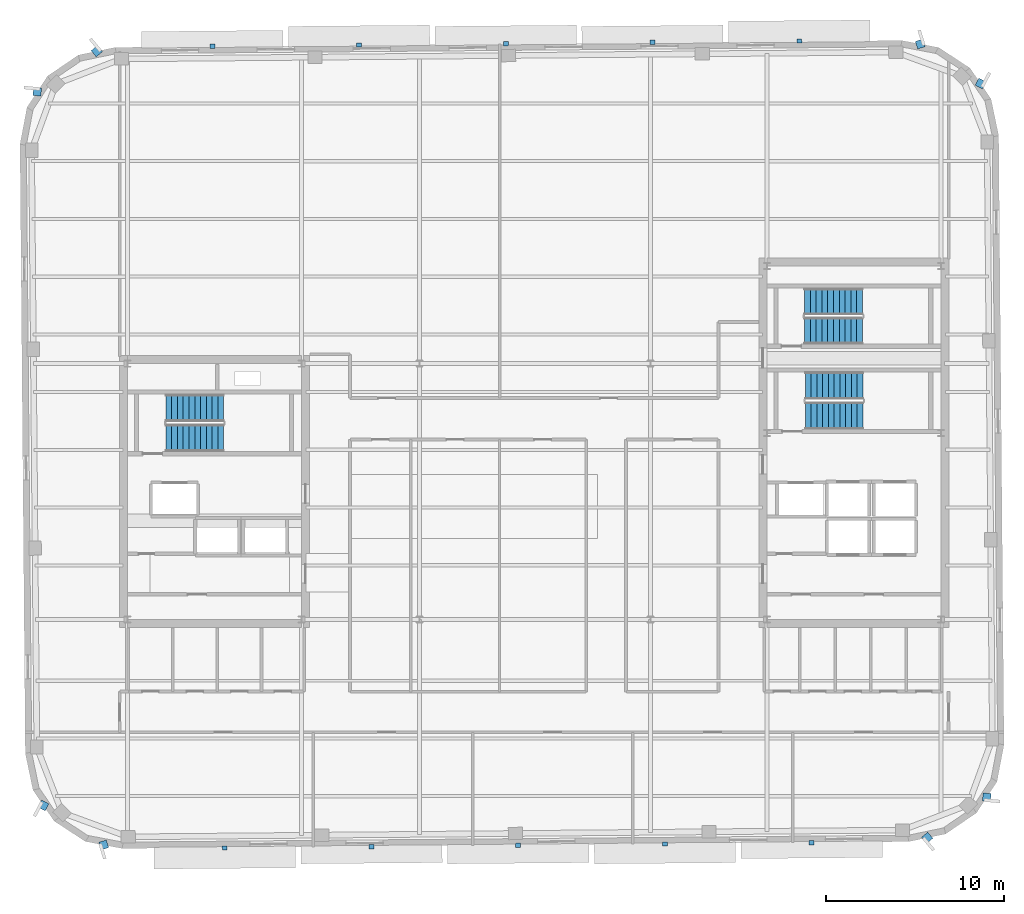
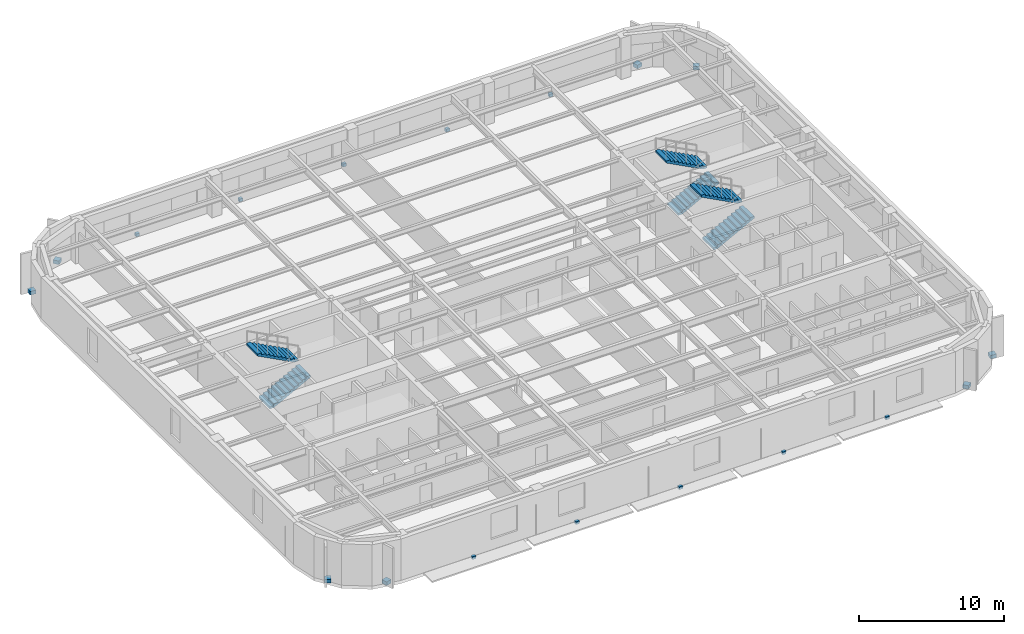
# One storey, part 10 of 15: 18 discrete accessories, 6 stair flights, 3 elements without a shape of their own.
"""IFC4 building model written with IfcOpenShell, lengths in metres."""

from ifc_helpers import new_model, si_unit, direction, frame, origin, origin_2d, place, context, subcontext, project, spatial, polyline, rectangle, outline, extrude, material, type_object, element, aggregate, save


model = new_model("IFC4")

# Units and contexts
model_context = context("Model", 3, precision=1e-05, world=origin(), true_north=direction((0.0, 1.0)))
body_context = subcontext(model_context, "Body", "Model", "MODEL_VIEW")
ifc_project = project(units=[si_unit("LENGTHUNIT", "METRE"), si_unit("AREAUNIT", "SQUARE_METRE"), si_unit("VOLUMEUNIT", "CUBIC_METRE"), si_unit("PLANEANGLEUNIT", "RADIAN"), si_unit("MASSUNIT", "GRAM", prefix="KILO")], contexts=[model_context])

# Site, building, storey
site_placement = place(None, origin())
site = spatial("IfcSite", under=ifc_project, at=site_placement, CompositionType="ELEMENT")
building_placement = place(site_placement, origin())
building = spatial("IfcBuilding", under=site, at=building_placement, Name="Kolvaren Arena Tower", CompositionType="ELEMENT")
storey_placement = place(building_placement, frame((0.0, 0.0, 282.39990234375)))
storey = spatial("IfcBuildingStorey", under=building, at=storey_placement, Name="L69", CompositionType="ELEMENT", Elevation=282.39990234375)

# Stair, stair flights
ifc_material_1 = material(Name="Concrete 45 MPa", Category="concrete")
stair_type_1 = type_object("IfcStairType", Name="STAIR-CORE-150", PredefinedType="HALF_TURN_STAIR", material=ifc_material_1)
stair_1_placement = place(storey_placement, origin())
stair_1 = element("IfcStair", 1, at=stair_1_placement, inside=storey, type_object=stair_type_1, Name="L69 ST-E2", PredefinedType="HALF_TURN_STAIR")
stair_flight_type_1 = type_object("IfcStairFlightType", Name="FLT-150", PredefinedType="STRAIGHT", material=ifc_material_1)
stair_flight_1_placement = place(storey_placement, frame((52.679931640625, 35.699951171875, 0.0), z_axis=(0.0, 0.0, 1.0), x_axis=(1.0, 0.0, 0.0)))
stair_flight_1 = element("IfcStairFlight", 2, at=stair_flight_1_placement, type_object=stair_flight_type_1, Name="ST-E2 flight 1", NumberOfRisers=11, NumberOfTreads=10, PredefinedType="STRAIGHT", RiserHeight=0.170454545, TreadLength=0.324, context=body_context, shape_type="SweptSolid", body=[
    extrude(outline(polyline([(0.0, 0.0), (0.0, 0.17041015625), (0.323974609375, 0.17041015625), (0.323974609375, 0.3408203125), (0.64794921875, 0.3408203125), (0.64794921875, 0.511474609375), (0.971923828125, 0.511474609375), (0.971923828125, 0.681884765625), (1.2958984375, 0.681884765625), (1.2958984375, 0.852294921875), (1.6201171875, 0.852294921875), (1.6201171875, 1.022705078125), (1.944091796875, 1.022705078125), (1.944091796875, 1.193115234375), (2.26806640625, 1.193115234375), (2.26806640625, 1.363525390625), (2.592041015625, 1.363525390625), (2.592041015625, 1.5341796875), (2.916015625, 1.5341796875), (2.916015625, 1.70458984375), (3.239990234375, 1.70458984375), (3.239990234375, 1.875), (3.239990234375, 1.53515625), (0.322021484375, 0.0), (0.0, 0.0)])), frame((0.0, 0.75, 0.0), z_axis=(0.0, -1.0, 0.0), x_axis=(1.0, 0.0, 0.0)), (0.0, 0.0, 1.0), 1.5),
])
stair_flight_2_placement = place(storey_placement, frame((55.919921875, 37.35009765625, 1.875), z_axis=(0.0, 0.0, 1.0), x_axis=(-1.0, 0.0, 0.0)))
stair_flight_2 = element("IfcStairFlight", 3, at=stair_flight_2_placement, type_object=stair_flight_type_1, Name="ST-E2 flight 2", NumberOfRisers=11, NumberOfTreads=10, PredefinedType="STRAIGHT", RiserHeight=0.170454545, TreadLength=0.324, context=body_context, shape_type="SweptSolid", body=[
    extrude(outline(polyline([(0.0, 0.0), (0.0, 0.17041015625), (0.323974609375, 0.17041015625), (0.323974609375, 0.3408203125), (0.64794921875, 0.3408203125), (0.64794921875, 0.511474609375), (0.971923828125, 0.511474609375), (0.971923828125, 0.681884765625), (1.2958984375, 0.681884765625), (1.2958984375, 0.852294921875), (1.6201171875, 0.852294921875), (1.6201171875, 1.022705078125), (1.944091796875, 1.022705078125), (1.944091796875, 1.193115234375), (2.26806640625, 1.193115234375), (2.26806640625, 1.363525390625), (2.592041015625, 1.363525390625), (2.592041015625, 1.5341796875), (2.916015625, 1.5341796875), (2.916015625, 1.70458984375), (3.239990234375, 1.70458984375), (3.239990234375, 1.875), (3.239990234375, 1.53515625), (0.322021484375, 0.0), (0.0, 0.0)])), frame((0.0, 0.75, 0.0), z_axis=(0.0, -1.0, 0.0), x_axis=(1.0, 0.0, 0.0)), (0.0, 0.0, 1.0), 1.5),
])
aggregate(stair_1, [stair_flight_1, stair_flight_2])

stair_type_2 = type_object("IfcStairType", Name="STAIR-CORE-165", PredefinedType="HALF_TURN_STAIR", material=ifc_material_1)
stair_2_placement = place(storey_placement, origin())
stair_2 = element("IfcStair", 4, at=stair_2_placement, inside=storey, type_object=stair_type_2, Name="L69 ST-W1", PredefinedType="HALF_TURN_STAIR")
stair_flight_type_2 = type_object("IfcStairFlightType", Name="FLT-165", PredefinedType="STRAIGHT", material=ifc_material_1)
stair_flight_3_placement = place(storey_placement, frame((16.719970703125, 29.669921875, 0.0), z_axis=(0.0, 0.0, 1.0), x_axis=(1.0, 0.0, 0.0)))
stair_flight_3 = element("IfcStairFlight", 5, at=stair_flight_3_placement, type_object=stair_flight_type_2, Name="ST-W1 flight 1", NumberOfRisers=11, NumberOfTreads=10, PredefinedType="STRAIGHT", RiserHeight=0.170454545, TreadLength=0.324, context=body_context, shape_type="SweptSolid", body=[
    extrude(outline(polyline([(0.0, 0.0), (0.0, 0.17041015625), (0.323974609375, 0.17041015625), (0.323974609375, 0.3408203125), (0.64794921875, 0.3408203125), (0.64794921875, 0.511474609375), (0.971923828125, 0.511474609375), (0.971923828125, 0.681884765625), (1.2958984375, 0.681884765625), (1.2958984375, 0.852294921875), (1.6201171875, 0.852294921875), (1.6201171875, 1.022705078125), (1.944091796875, 1.022705078125), (1.944091796875, 1.193115234375), (2.26806640625, 1.193115234375), (2.26806640625, 1.363525390625), (2.592041015625, 1.363525390625), (2.592041015625, 1.5341796875), (2.916015625, 1.5341796875), (2.916015625, 1.70458984375), (3.239990234375, 1.70458984375), (3.239990234375, 1.875), (3.239990234375, 1.53515625), (0.322021484375, 0.0), (0.0, 0.0)])), frame((0.0, 0.77001953125, 0.0), z_axis=(0.0, -1.0, 0.0), x_axis=(1.0, 0.0, 0.0)), (0.0, 0.0, 1.0), 1.5400390625),
])
stair_flight_4_placement = place(storey_placement, frame((19.9599609375, 31.360107421875, 1.875), z_axis=(0.0, 0.0, 1.0), x_axis=(-1.0, 0.0, 0.0)))
stair_flight_4 = element("IfcStairFlight", 6, at=stair_flight_4_placement, type_object=stair_flight_type_2, Name="ST-W1 flight 2", NumberOfRisers=11, NumberOfTreads=10, PredefinedType="STRAIGHT", RiserHeight=0.170454545, TreadLength=0.324, context=body_context, shape_type="SweptSolid", body=[
    extrude(outline(polyline([(0.0, 0.0), (0.0, 0.17041015625), (0.323974609375, 0.17041015625), (0.323974609375, 0.3408203125), (0.64794921875, 0.3408203125), (0.64794921875, 0.511474609375), (0.971923828125, 0.511474609375), (0.971923828125, 0.681884765625), (1.2958984375, 0.681884765625), (1.2958984375, 0.852294921875), (1.6201171875, 0.852294921875), (1.6201171875, 1.022705078125), (1.944091796875, 1.022705078125), (1.944091796875, 1.193115234375), (2.26806640625, 1.193115234375), (2.26806640625, 1.363525390625), (2.592041015625, 1.363525390625), (2.592041015625, 1.5341796875), (2.916015625, 1.5341796875), (2.916015625, 1.70458984375), (3.239990234375, 1.70458984375), (3.239990234375, 1.875), (3.239990234375, 1.53515625), (0.322021484375, 0.0), (0.0, 0.0)])), frame((0.0, 0.77001953125, 0.0), z_axis=(0.0, -1.0, 0.0), x_axis=(1.0, 0.0, 0.0)), (0.0, 0.0, 1.0), 1.5400390625),
])
aggregate(stair_2, [stair_flight_3, stair_flight_4])

stair_3_placement = place(storey_placement, origin())
stair_3 = element("IfcStair", 7, at=stair_3_placement, inside=storey, type_object=stair_type_2, Name="L69 ST-E1", PredefinedType="HALF_TURN_STAIR")
stair_flight_5_placement = place(storey_placement, frame((52.719970703125, 30.919921875, 0.0), z_axis=(0.0, 0.0, 1.0), x_axis=(1.0, 0.0, 0.0)))
stair_flight_5 = element("IfcStairFlight", 8, at=stair_flight_5_placement, type_object=stair_flight_type_2, Name="ST-E1 flight 1", NumberOfRisers=11, NumberOfTreads=10, PredefinedType="STRAIGHT", RiserHeight=0.170454545, TreadLength=0.324, context=body_context, shape_type="SweptSolid", body=[
    extrude(outline(polyline([(0.0, 0.0), (0.0, 0.17041015625), (0.323974609375, 0.17041015625), (0.323974609375, 0.3408203125), (0.64794921875, 0.3408203125), (0.64794921875, 0.511474609375), (0.971923828125, 0.511474609375), (0.971923828125, 0.681884765625), (1.2958984375, 0.681884765625), (1.2958984375, 0.852294921875), (1.6201171875, 0.852294921875), (1.6201171875, 1.022705078125), (1.944091796875, 1.022705078125), (1.944091796875, 1.193115234375), (2.26806640625, 1.193115234375), (2.26806640625, 1.363525390625), (2.592041015625, 1.363525390625), (2.592041015625, 1.5341796875), (2.916015625, 1.5341796875), (2.916015625, 1.70458984375), (3.239990234375, 1.70458984375), (3.239990234375, 1.875), (3.239990234375, 1.53515625), (0.322021484375, 0.0), (0.0, 0.0)])), frame((0.0, 0.77001953125, 0.0), z_axis=(0.0, -1.0, 0.0), x_axis=(1.0, 0.0, 0.0)), (0.0, 0.0, 1.0), 1.5400390625),
])
stair_flight_6_placement = place(storey_placement, frame((55.9599609375, 32.610107421875, 1.875), z_axis=(0.0, 0.0, 1.0), x_axis=(-1.0, 0.0, 0.0)))
stair_flight_6 = element("IfcStairFlight", 9, at=stair_flight_6_placement, type_object=stair_flight_type_2, Name="ST-E1 flight 2", NumberOfRisers=11, NumberOfTreads=10, PredefinedType="STRAIGHT", RiserHeight=0.170454545, TreadLength=0.324, context=body_context, shape_type="SweptSolid", body=[
    extrude(outline(polyline([(0.0, 0.0), (0.0, 0.17041015625), (0.323974609375, 0.17041015625), (0.323974609375, 0.3408203125), (0.64794921875, 0.3408203125), (0.64794921875, 0.511474609375), (0.971923828125, 0.511474609375), (0.971923828125, 0.681884765625), (1.2958984375, 0.681884765625), (1.2958984375, 0.852294921875), (1.6201171875, 0.852294921875), (1.6201171875, 1.022705078125), (1.944091796875, 1.022705078125), (1.944091796875, 1.193115234375), (2.26806640625, 1.193115234375), (2.26806640625, 1.363525390625), (2.592041015625, 1.363525390625), (2.592041015625, 1.5341796875), (2.916015625, 1.5341796875), (2.916015625, 1.70458984375), (3.239990234375, 1.70458984375), (3.239990234375, 1.875), (3.239990234375, 1.53515625), (0.322021484375, 0.0), (0.0, 0.0)])), frame((0.0, 0.77001953125, 0.0), z_axis=(0.0, -1.0, 0.0), x_axis=(1.0, 0.0, 0.0)), (0.0, 0.0, 1.0), 1.5400390625),
])
aggregate(stair_3, [stair_flight_5, stair_flight_6])

# Discrete accessories
ifc_material_2 = material(Name="Stainless steel facade support bracket", Category="steel")
discrete_accessory_type = type_object("IfcDiscreteAccessoryType", Name="ACC-BRKT-1", PredefinedType="BRACKET", material=ifc_material_2)
for number, where, z_axis, x_axis, name in (
    (10, (59.577392578125, 7.15869140625, 0.02001953125), (0.0, 0.0, 1.0), (0.639409480102, -0.768866384202, 0.0), "Corner Fin Anchor Bracket (L69)"),
    (11, (62.927978515625, 9.43994140625, 0.02001953125), (0.0, 0.0, 1.0), (0.995807961336, -0.091468596471, 0.0), "Corner Fin Anchor Bracket (L69)"),
    (12, (62.577392578125, 49.623291015625, 0.02001953125), (0.0, 0.0, 1.0), (0.465619154103, 0.884985199499, 0.0), "Corner Fin Anchor Bracket (L69)"),
    (13, (59.1875, 51.845947265625, 0.02001953125), (0.0, 0.0, 1.0), (-0.296541574976, 0.955019944457, 0.0), "Corner Fin Anchor Bracket (L69)"),
):
    element("IfcDiscreteAccessory", number, at=place(storey_placement, frame(where, z_axis=z_axis, x_axis=x_axis)), inside=storey, type_object=discrete_accessory_type, Name=name, PredefinedType="BRACKET", context=body_context, shape_type="SweptSolid", body=[
        extrude(rectangle(XDim=0.449951171875, YDim=0.449951171875, at=origin_2d()), origin(), (0.0, 0.0, 1.0), 0.300048828125),
    ])
for number, where, z_axis, x_axis, name in (
    (14, (19.333740234375, 51.7236328125, -0.1796875), (0.0, 0.0, 1.0), (0.999961923064, 0.008726535498, 0.0), "Sunshade Support Bracket (L69)"),
    (15, (27.593505859375, 51.795654296875, -0.1796875), (0.0, 0.0, 1.0), (0.999961923064, 0.008726535498, 0.0), "Sunshade Support Bracket (L69)"),
    (16, (35.85302734375, 51.867919921875, -0.1796875), (0.0, 0.0, 1.0), (0.999961923064, 0.008726535498, 0.0), "Sunshade Support Bracket (L69)"),
    (17, (44.11279296875, 51.93994140625, -0.1796875), (0.0, 0.0, 1.0), (0.999961923064, 0.008726535498, 0.0), "Sunshade Support Bracket (L69)"),
    (18, (52.372314453125, 52.011962890625, -0.1796875), (0.0, 0.0, 1.0), (0.999961923064, 0.008726535498, 0.0), "Sunshade Support Bracket (L69)"),
):
    element("IfcDiscreteAccessory", number, at=place(storey_placement, frame(where, z_axis=z_axis, x_axis=x_axis)), inside=storey, type_object=discrete_accessory_type, Name=name, PredefinedType="BRACKET", context=body_context, shape_type="SweptSolid", body=[
        extrude(rectangle(XDim=0.280029296875, YDim=0.239990234375, at=origin_2d()), origin(), (0.0, 0.0, 1.0), 0.239990234375),
    ])
for number, where, z_axis, x_axis, name in (
    (19, (12.822509765625, 51.44140625, 0.02001953125), (0.0, 0.0, 1.0), (-0.639409480102, 0.768866384202, 0.0), "Corner Fin Anchor Bracket (L69)"),
    (20, (9.471923828125, 49.159912109375, 0.02001953125), (0.0, 0.0, 1.0), (-0.995807961336, 0.091468596471, 0.0), "Corner Fin Anchor Bracket (L69)"),
    (21, (9.82275390625, 8.9765625, 0.02001953125), (0.0, 0.0, 1.0), (-0.465619154103, -0.884985199499, 0.0), "Corner Fin Anchor Bracket (L69)"),
    (22, (13.212646484375, 6.754150390625, 0.02001953125), (0.0, 0.0, 1.0), (0.296541574976, -0.955019944457, 0.0), "Corner Fin Anchor Bracket (L69)"),
):
    element("IfcDiscreteAccessory", number, at=place(storey_placement, frame(where, z_axis=z_axis, x_axis=x_axis)), inside=storey, type_object=discrete_accessory_type, Name=name, PredefinedType="BRACKET", context=body_context, shape_type="SweptSolid", body=[
        extrude(rectangle(XDim=0.449951171875, YDim=0.449951171875, at=origin_2d()), origin(), (0.0, 0.0, 1.0), 0.300048828125),
    ])
for number, where, z_axis, x_axis, name in (
    (23, (53.06640625, 6.87646484375, -0.1796875), (0.0, 0.0, 1.0), (-0.999961923064, -0.008726535498, 0.0), "Sunshade Support Bracket (L69)"),
    (24, (44.806640625, 6.80419921875, -0.1796875), (0.0, 0.0, 1.0), (-0.999961923064, -0.008726535498, 0.0), "Sunshade Support Bracket (L69)"),
    (25, (36.546875, 6.732177734375, -0.1796875), (0.0, 0.0, 1.0), (-0.999961923064, -0.008726535498, 0.0), "Sunshade Support Bracket (L69)"),
    (26, (28.287109375, 6.66015625, -0.1796875), (0.0, 0.0, 1.0), (-0.999961923064, -0.008726535498, 0.0), "Sunshade Support Bracket (L69)"),
    (27, (20.027587890625, 6.587890625, -0.1796875), (0.0, 0.0, 1.0), (-0.999961923064, -0.008726535498, 0.0), "Sunshade Support Bracket (L69)"),
):
    element("IfcDiscreteAccessory", number, at=place(storey_placement, frame(where, z_axis=z_axis, x_axis=x_axis)), inside=storey, type_object=discrete_accessory_type, Name=name, PredefinedType="BRACKET", context=body_context, shape_type="SweptSolid", body=[
        extrude(rectangle(XDim=0.280029296875, YDim=0.239990234375, at=origin_2d()), origin(), (0.0, 0.0, 1.0), 0.239990234375),
    ])

save(model, "model.ifc")
